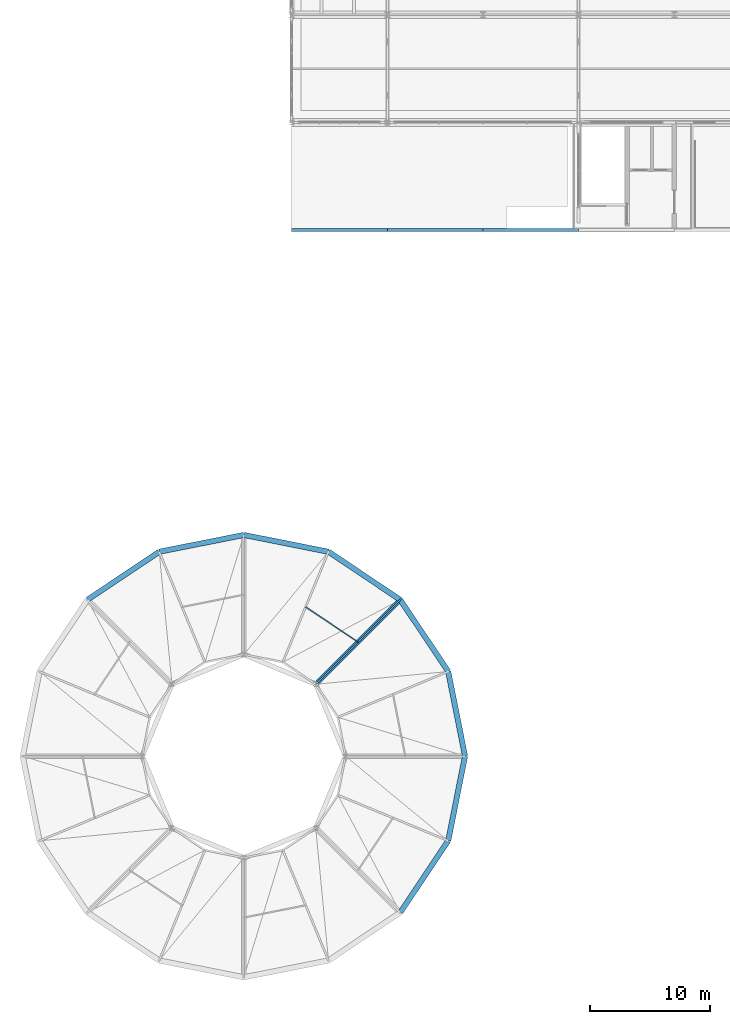
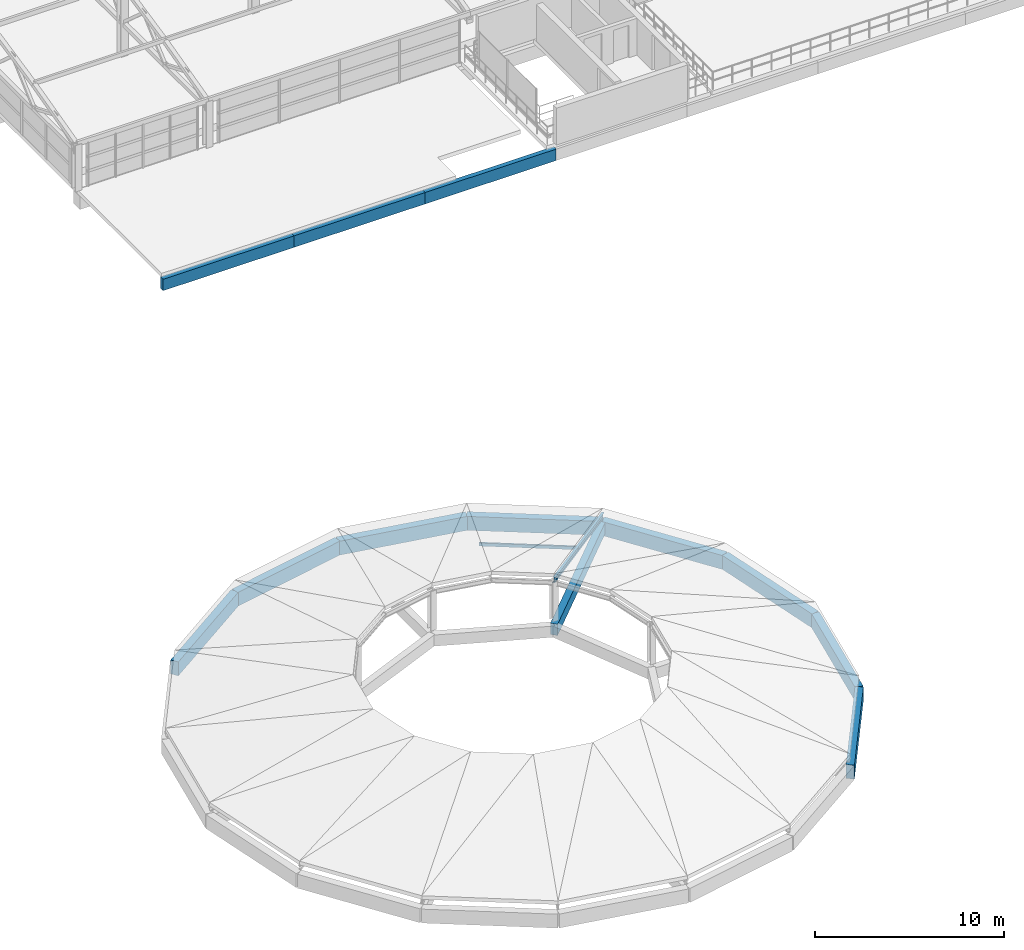
# One storey, part 9 of 50: 13 beams, 1 member.
"""IFC4 building model written with IfcOpenShell, lengths in metres."""

from ifc_helpers import new_model, si_unit, derived_unit, direction, frame, origin, origin_2d, place, context, subcontext, project, spatial, rectangle, hollow_rectangle, i_section, extrude, material, material_profile, profile_set, type_object, element, save


model = new_model("IFC4")

# Units and contexts
model_context = context("Model", 3, precision=1e-05, world=origin(), true_north=direction((0.0, 1.0)))
body_context = subcontext(model_context, "Body", "Model", "MODEL_VIEW")
ifc_project = project(units=[si_unit("LENGTHUNIT", "METRE"), si_unit("AREAUNIT", "SQUARE_METRE"), si_unit("VOLUMEUNIT", "CUBIC_METRE"), si_unit("PLANEANGLEUNIT", "RADIAN"), si_unit("MASSUNIT", "GRAM", prefix="KILO"), si_unit("THERMODYNAMICTEMPERATUREUNIT", "KELVIN"), derived_unit("THERMALTRANSMITTANCEUNIT", [(si_unit("POWERUNIT", "WATT"), 1), (si_unit("AREAUNIT", "SQUARE_METRE"), -1), (si_unit("THERMODYNAMICTEMPERATUREUNIT", "KELVIN"), -1)])], contexts=[model_context])

# Site, building, storey
site_placement = place(None, origin())
site = spatial("IfcSite", under=ifc_project, at=site_placement, CompositionType="ELEMENT")
building_placement = place(site_placement, origin())
building = spatial("IfcBuilding", under=site, at=building_placement, Name="Haiyu Intermodal Mobility Hub", CompositionType="ELEMENT")
storey_placement = place(building_placement, frame((0.0, 0.0, 25.10009765625)))
storey = spatial("IfcBuildingStorey", under=building, at=storey_placement, Name="L06", CompositionType="ELEMENT", Elevation=25.10009765625)

# Beams
ifc_material_1 = material(Name="Concrete C40", Category="concrete")
ifc_material_profile_1 = material_profile(ifc_material_1, rectangle(XDim=0.449951171875, YDim=0.89990234375, at=origin_2d()), Name="RCB450x900")
ifc_profile_set_1 = profile_set([ifc_material_profile_1], Name="Concrete C40")
beam_type_1 = type_object("IfcBeamType", Name="BM-CB10", PredefinedType="BEAM", material=ifc_profile_set_1)
beam_1_placement = place(storey_placement, frame((52.5, 60.0, -0.72998046875), z_axis=(-0.195042866972, 0.980794718605, 0.0), x_axis=(-0.980794718605, -0.195042866972, 0.0)))
element("IfcBeam", 1, at=beam_1_placement, inside=storey, type_object=beam_type_1, Name="BM-RMP-O-L06-001", PredefinedType="BEAM", context=body_context, shape_type="SweptSolid", body=[
    extrude(rectangle(XDim=0.449951171875, YDim=0.89990234375, at=origin_2d()), origin(), (0.0, 0.0, 1.0), 7.21875),
])
for number, where, z_axis, x_axis, name in (
    (2, (51.092041015625, 67.080078125, -0.72998046875), (-0.555691099877, 0.831388838942, 0.0), (-0.831388838942, -0.555691099877, 0.0), "BM-RMP-O-L06-002"),
    (3, (47.0810546875, 73.0810546875, -0.72998046875), (-0.831388838942, 0.555691099877, 0.0), (-0.555691099877, -0.831388838942, 0.0), "BM-RMP-O-L06-003"),
):
    element("IfcBeam", number, at=place(storey_placement, frame(where, z_axis=z_axis, x_axis=x_axis)), inside=storey, type_object=beam_type_1, Name=name, PredefinedType="BEAM", context=body_context, shape_type="SweptSolid", body=[
        extrude(rectangle(XDim=0.449951171875, YDim=0.89990234375, at=origin_2d()), origin(), (0.0, 0.0, 1.0), 7.218017578125),
    ])
for number, where, z_axis, x_axis, name in (
    (4, (41.080078125, 77.092041015625, -0.72998046875), (-0.980794718605, 0.195042866972, 0.0), (-0.195042866972, -0.980794718605, 0.0), "BM-RMP-O-L06-004"),
    (5, (34.0, 78.5, -0.72998046875), (-0.980794718605, -0.195042866972, 0.0), (0.195042866972, -0.980794718605, 0.0), "BM-RMP-O-L06-005"),
):
    element("IfcBeam", number, at=place(storey_placement, frame(where, z_axis=z_axis, x_axis=x_axis)), inside=storey, type_object=beam_type_1, Name=name, PredefinedType="BEAM", context=body_context, shape_type="SweptSolid", body=[
        extrude(rectangle(XDim=0.449951171875, YDim=0.89990234375, at=origin_2d()), origin(), (0.0, 0.0, 1.0), 7.21875),
    ])
for number, where, z_axis, x_axis, name in (
    (6, (26.919921875, 77.092041015625, -0.72998046875), (-0.831388838942, -0.555691099877, 0.0), (0.555691099877, -0.831388838942, 0.0), "BM-RMP-O-L06-006"),
    (7, (47.0810546875, 46.9189453125, -0.72998046875), (0.555691099877, 0.831388838942, 0.0), (-0.831388838942, 0.555691099877, 0.0), "BM-RMP-O-L06-015"),
):
    element("IfcBeam", number, at=place(storey_placement, frame(where, z_axis=z_axis, x_axis=x_axis)), inside=storey, type_object=beam_type_1, Name=name, PredefinedType="BEAM", context=body_context, shape_type="SweptSolid", body=[
        extrude(rectangle(XDim=0.449951171875, YDim=0.89990234375, at=origin_2d()), origin(), (0.0, 0.0, 1.0), 7.218017578125),
    ])
beam_2_placement = place(storey_placement, frame((51.092041015625, 52.919921875, -0.72998046875), z_axis=(0.195042866972, 0.980794718605, 0.0), x_axis=(-0.980794718605, 0.195042866972, 0.0)))
element("IfcBeam", 8, at=beam_2_placement, inside=storey, type_object=beam_type_1, Name="BM-RMP-O-L06-016", PredefinedType="BEAM", context=body_context, shape_type="SweptSolid", body=[
    extrude(rectangle(XDim=0.449951171875, YDim=0.89990234375, at=origin_2d()), origin(), (0.0, 0.0, 1.0), 7.21875),
])
ifc_material_profile_2 = material_profile(ifc_material_1, rectangle(XDim=0.39990234375, YDim=0.719970703125, at=origin_2d()), Name="RCB400x720")
ifc_profile_set_2 = profile_set([ifc_material_profile_2], Name="Concrete C40")
beam_type_2 = type_object("IfcBeamType", Name="BM-CB11", PredefinedType="BEAM", material=ifc_profile_set_2)
beam_3_placement = place(storey_placement, frame((40.010009765625, 66.010009765625, -0.64013671875), z_axis=(0.707106781187, 0.707106781187, 0.0), x_axis=(-0.707106781187, 0.707106781187, 0.0)))
element("IfcBeam", 9, at=beam_3_placement, inside=storey, type_object=beam_type_2, Name="BM-RMP-R-L06-020", PredefinedType="BEAM", context=body_context, shape_type="SweptSolid", body=[
    extrude(rectangle(XDim=0.39990234375, YDim=0.719970703125, at=origin_2d()), origin(), (0.0, 0.0, 1.0), 10.0),
])
ifc_material_2 = material(Name="Steel Q355C", Category="steel")
ifc_material_profile_3 = material_profile(ifc_material_2, i_section(OverallWidth=0.14990234375, OverallDepth=0.300048828125, WebThickness=0.006591796875, FlangeThickness=0.009033203125, FilletRadius=0.012939453125, at=origin_2d()), Name="HN300x150x6.5x9")
ifc_profile_set_3 = profile_set([ifc_material_profile_3], Name="Steel Q355C")
beam_type_3 = type_object("IfcBeamType", Name="BM-SB10", PredefinedType="JOIST", material=ifc_profile_set_3)
beam_4_placement = place(storey_placement, frame((47.0810546875, 73.0810546875, 0.0), z_axis=(-0.685183736515, -0.685183736515, 0.247075888001), x_axis=(0.707106781187, -0.707106781187, 0.0)))
element("IfcBeam", 10, at=beam_4_placement, inside=storey, type_object=beam_type_3, Name="Ramp Drum Radial Rafter RR-03", PredefinedType="JOIST", context=body_context, shape_type="SweptSolid", body=[
    extrude(i_section(OverallWidth=0.14990234375, OverallDepth=0.300048828125, WebThickness=0.006591796875, FlangeThickness=0.009033203125, FilletRadius=0.012939453125, at=origin_2d()), origin(), (0.0, 0.0, 1.0), 10.31982421875),
])
ifc_material_3 = material(Name="Precast concrete C40", Category="concrete")
ifc_material_profile_4 = material_profile(ifc_material_3, rectangle(XDim=0.280029296875, YDim=0.739990234375, at=origin_2d()), Name="B280x740")
ifc_profile_set_4 = profile_set([ifc_material_profile_4], Name="Precast concrete C40")
beam_type_4 = type_object("IfcBeamType", Name="BM-SP05", PredefinedType="SPANDREL", material=ifc_profile_set_4)
for number, where, z_axis, x_axis, name in (
    (11, (38.0, 104.0, -0.650146484375), (1.0, 0.0, 0.0), (0.0, 1.0, 0.0), "BM-V4G-L06-001"),
    (12, (46.0, 104.0, -0.650146484375), (1.0, 0.0, 0.0), (0.0, 1.0, 0.0), "BM-V4G-L06-002"),
    (13, (54.0, 104.0, -0.650146484375), (1.0, 0.0, 0.0), (0.0, 1.0, 0.0), "BM-V4G-L06-003"),
):
    element("IfcBeam", number, at=place(storey_placement, frame(where, z_axis=z_axis, x_axis=x_axis)), inside=storey, type_object=beam_type_4, Name=name, PredefinedType="SPANDREL", context=body_context, shape_type="SweptSolid", body=[
        extrude(rectangle(XDim=0.280029296875, YDim=0.739990234375, at=origin_2d()), origin(), (0.0, 0.0, 1.0), 8.0),
    ])

# Member
ifc_material_profile_5 = material_profile(ifc_material_2, hollow_rectangle(XDim=0.10009765625, YDim=0.199951171875, WallThickness=0.006103515625, at=origin_2d()), Name="RHS200x100x6")
ifc_profile_set_5 = profile_set([ifc_material_profile_5], Name="Steel Q355C")
member_type = type_object("IfcMemberType", Name="MEM-PR03", PredefinedType="PURLIN", material=ifc_profile_set_5)
member_placement = place(storey_placement, frame((43.54541015625, 69.54541015625, 1.25), z_axis=(-0.831372219261, 0.555715964357, 0.0), x_axis=(-0.555715964357, -0.831372219261, 0.0)))
element("IfcMember", 14, at=member_placement, inside=storey, type_object=member_type, Name="MEM-DRUMPR-02", PredefinedType="PURLIN", context=body_context, shape_type="SweptSolid", body=[
    extrude(hollow_rectangle(XDim=0.10009765625, YDim=0.199951171875, WallThickness=0.006103515625, at=origin_2d()), origin(), (0.0, 0.0, 1.0), 5.26708984375),
])

save(model, "model.ifc")
